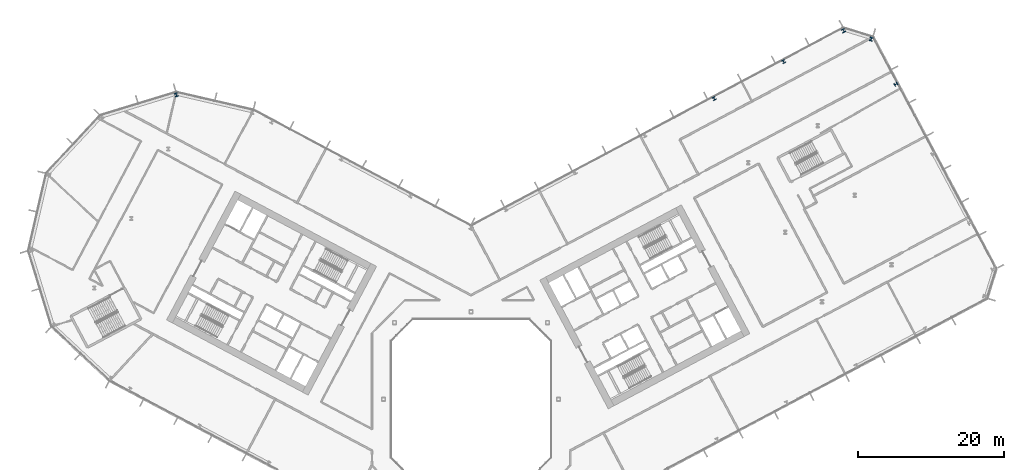
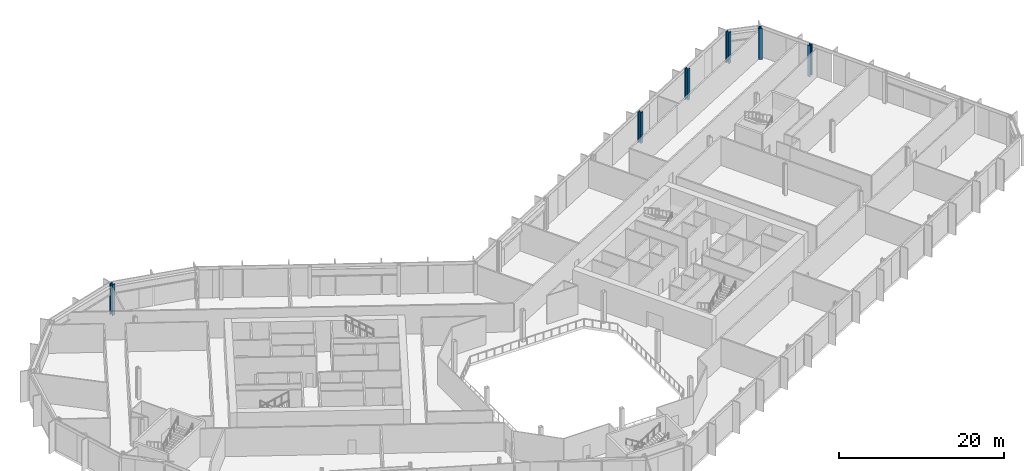
# One storey, part 5 of 31: 6 columns.
"""IFC4 building model written with IfcOpenShell, lengths in metres."""

from ifc_helpers import new_model, si_unit, direction, frame, origin, origin_2d, place, context, subcontext, project, spatial, i_section, extrude, material, material_profile, profile_set, type_object, element, save


model = new_model("IFC4")

# Units and contexts
model_context = context("Model", 3, precision=1e-05, world=origin(), true_north=direction((0.0, 1.0)))
body_context = subcontext(model_context, "Body", "Model", "MODEL_VIEW")
ifc_project = project(units=[si_unit("LENGTHUNIT", "METRE"), si_unit("AREAUNIT", "SQUARE_METRE"), si_unit("VOLUMEUNIT", "CUBIC_METRE"), si_unit("PLANEANGLEUNIT", "RADIAN"), si_unit("MASSUNIT", "GRAM", prefix="KILO")], contexts=[model_context])

# Site, building, storey
site_placement = place(None, origin())
site = spatial("IfcSite", under=ifc_project, at=site_placement, CompositionType="ELEMENT")
building_placement = place(site_placement, origin())
building = spatial("IfcBuilding", under=site, at=building_placement, Name="Cormorant Relay Tower", CompositionType="ELEMENT")
storey_placement = place(building_placement, frame((0.0, 0.0, 98.39990234375)))
storey = spatial("IfcBuildingStorey", under=building, at=storey_placement, Name="L19", CompositionType="ELEMENT", Elevation=98.39990234375)

# Columns
ifc_material_1 = material(Name="Steel ASTM A992 (Fy 345 MPa)", Category="steel")
ifc_material_profile_1 = material_profile(ifc_material_1, i_section(OverallWidth=0.42431640625, OverallDepth=0.47509765625, WebThickness=0.0478515625, FlangeThickness=0.0771484375, FilletRadius=0.014892578125, at=origin_2d()), Name="W360x634")
ifc_profile_set_1 = profile_set([ifc_material_profile_1], Name="Steel ASTM A992 (Fy 345 MPa)")
column_type_1 = type_object("IfcColumnType", Name="Column W360x634", PredefinedType="COLUMN", material=ifc_profile_set_1)
for number, where, z_axis, x_axis, name in (
    (1, (33.342041015625, 41.239990234375, 0.0), (0.0, 0.0, 1.0), (-0.882947592859, -0.469471562786, 0.0), "Column L19-049"),
    (2, (58.2900390625, 43.22509765625, 0.0), (0.0, 0.0, 1.0), (-0.469471562786, 0.882947592859, 0.0), "Column L19-051"),
    (3, (42.876953125, 46.31005859375, 0.0), (0.0, 0.0, 1.0), (-0.882947592859, -0.469471562786, 0.0), "Column L19-052"),
):
    element("IfcColumn", number, at=place(storey_placement, frame(where, z_axis=z_axis, x_axis=x_axis)), inside=storey, type_object=column_type_1, Name=name, PredefinedType="COLUMN", context=body_context, shape_type="SweptSolid", body=[
        extrude(i_section(OverallWidth=0.42431640625, OverallDepth=0.47509765625, WebThickness=0.0478515625, FlangeThickness=0.0771484375, FilletRadius=0.014892578125, at=origin_2d()), origin(), (0.0, 0.0, 1.0), 4.60009765625),
    ])
ifc_material_2 = material(Name="Steel ASTM A992 (Fy 345 MPa)", Category="steel")
ifc_material_profile_2 = material_profile(ifc_material_2, i_section(OverallWidth=0.43701171875, OverallDepth=0.51318359375, WebThickness=0.060546875, FlangeThickness=0.096923828125, FilletRadius=0.015380859375, at=origin_2d()), Name="W360x818")
ifc_profile_set_2 = profile_set([ifc_material_profile_2], Name="Steel ASTM A992 (Fy 345 MPa)")
column_type_2 = type_object("IfcColumnType", Name="Column W360x818", PredefinedType="COLUMN", material=ifc_profile_set_2)
for number, where, z_axis, x_axis, name in (
    (4, (-40.452880859375, 41.763916015625, 0.0), (0.0, 0.0, 1.0), (-0.956304755963, -0.292371704723, 0.0), "Column L19-050"),
    (5, (54.885986328125, 49.409912109375, 0.0), (0.0, 0.0, 1.0), (-0.956304755963, 0.292371704723, 0.0), "Column L19-053"),
    (6, (51.10009765625, 50.56689453125, 0.0), (0.0, 0.0, 1.0), (-0.882947592859, -0.469471562786, 0.0), "Column L19-054"),
):
    element("IfcColumn", number, at=place(storey_placement, frame(where, z_axis=z_axis, x_axis=x_axis)), inside=storey, type_object=column_type_2, Name=name, PredefinedType="COLUMN", context=body_context, shape_type="SweptSolid", body=[
        extrude(i_section(OverallWidth=0.43701171875, OverallDepth=0.51318359375, WebThickness=0.060546875, FlangeThickness=0.096923828125, FilletRadius=0.015380859375, at=origin_2d()), origin(), (0.0, 0.0, 1.0), 4.60009765625),
    ])

save(model, "model.ifc")
